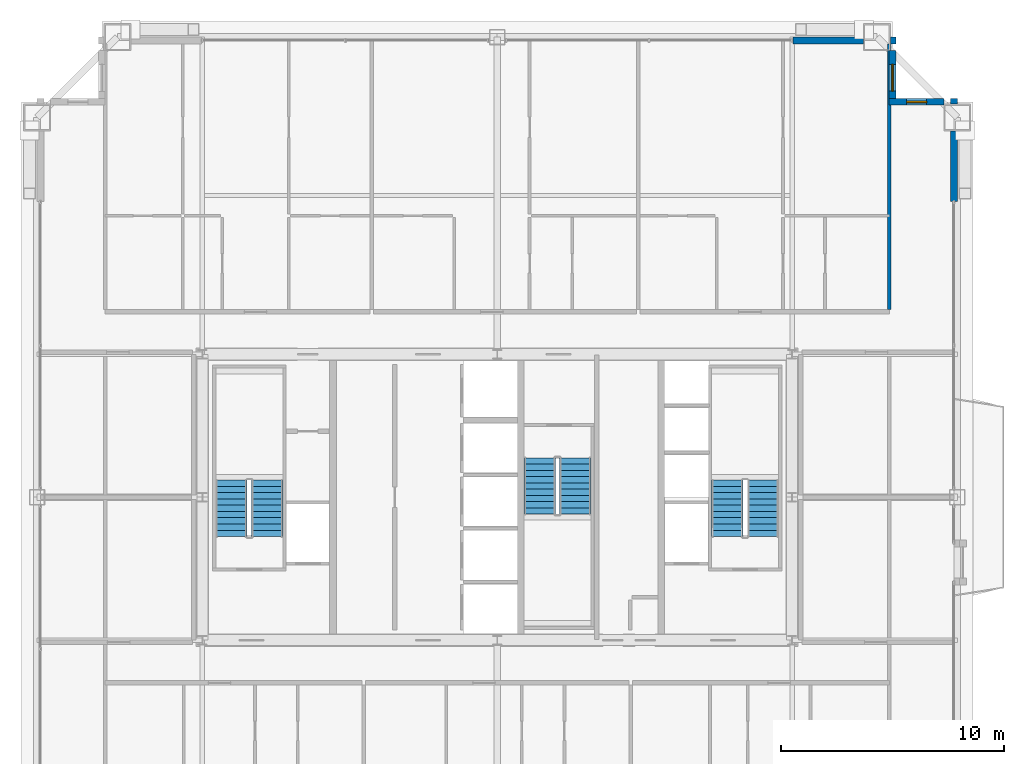
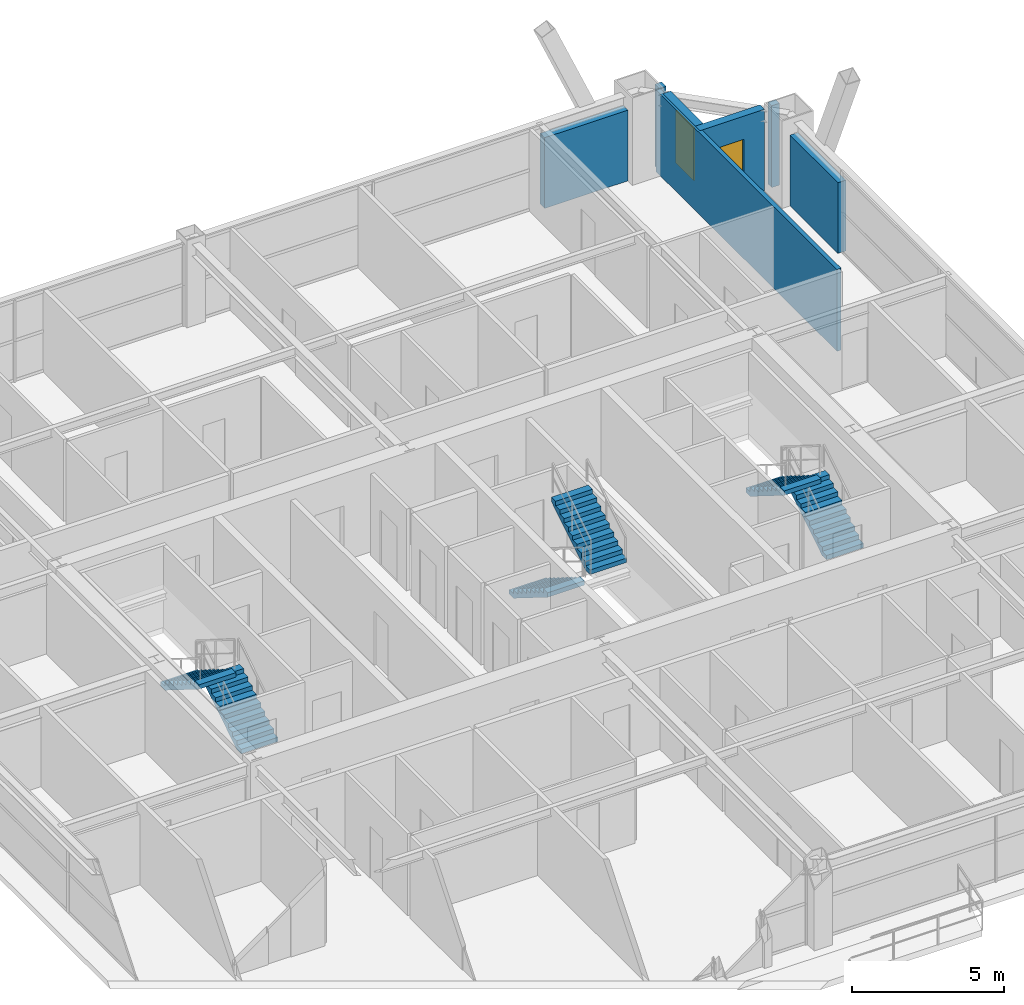
# One storey, part 34 of 35: 7 walls, 6 stair flights, 2 windows, 2 openings, 3 elements without a shape of their own.
"""IFC4 building model written with IfcOpenShell, lengths in metres."""

from ifc_helpers import new_model, si_unit, direction, frame, frame_2d, origin, place, context, subcontext, project, spatial, polyline, rectangle, outline, extrude, source, transform, mapped, material, layer, layer_set, type_object, element, fill, aggregate, save


model = new_model("IFC4")

# Units and contexts
model_context = context("Model", 3, precision=1e-05, world=origin(), true_north=direction((0.0, 1.0)))
body_context = subcontext(model_context, "Body", "Model", "MODEL_VIEW")
ifc_project = project(units=[si_unit("LENGTHUNIT", "METRE"), si_unit("AREAUNIT", "SQUARE_METRE"), si_unit("VOLUMEUNIT", "CUBIC_METRE"), si_unit("PLANEANGLEUNIT", "RADIAN"), si_unit("MASSUNIT", "GRAM", prefix="KILO"), si_unit("THERMODYNAMICTEMPERATUREUNIT", "KELVIN"), si_unit("POWERUNIT", "WATT")], contexts=[model_context])

# Site, building, storey
site_placement = place(None, origin())
site = spatial("IfcSite", under=ifc_project, at=site_placement, CompositionType="ELEMENT")
building_placement = place(site_placement, origin())
building = spatial("IfcBuilding", under=site, at=building_placement, Name="Yuzanri Waterfront Tower", CompositionType="ELEMENT")
storey_placement = place(building_placement, frame((0.0, 0.0, 248.60009765625)))
storey = spatial("IfcBuildingStorey", under=building, at=storey_placement, Name="L66", CompositionType="ELEMENT", Elevation=248.60009765625)

# Wall, opening, window
ifc_material_1 = material(Name="Honed Chongqing Dark Basalt Stone", Category="masonry")
ifc_layer_1 = layer(ifc_material_1, 0.300048828125)
ifc_layer_set_1 = layer_set([ifc_layer_1], Name="Honed Chongqing Dark Basalt Stone")
wall_type_1 = type_object("IfcWallType", Name="Bronze Rainscreen Insulated Spandrel Portal Wall 300", PredefinedType="SOLIDWALL", material=ifc_layer_set_1)
wall_1_placement = place(storey_placement, frame((57.0, 43.5, 0.0), z_axis=(0.0, 0.0, 1.0), x_axis=(-1.0, 0.0, 0.0)))
wall_1 = element("IfcWall", 1, at=wall_1_placement, inside=storey, type_object=wall_type_1, Name="L66 Notched Corner Masonry Wall NE-X", PredefinedType="SOLIDWALL", context=body_context, shape_type="SweptSolid", body=[
    extrude(rectangle(XDim=2.449951171875, YDim=0.300048828125, at=frame_2d((1.22509765625, 0.0))), origin(), (0.0, 0.0, 1.0), 3.27978515625),
])
opening_1_placement = place(wall_1_placement, frame((0.77490234375, 0.0, 0.85009765625)))
opening_1 = element("IfcOpeningElement", 2, at=opening_1_placement, cuts=wall_1, Name="Opening WN-05", PredefinedType="OPENING", context=body_context, shape_type="SweptSolid", body=[
    extrude(rectangle(XDim=0.89990234375, YDim=1.5, at=frame_2d((0.449951171875, 0.75))), frame((0.0, 0.1650390625, 0.0), z_axis=(0.0, -1.0, 0.0), x_axis=(1.0, 0.0, 0.0)), (0.0, 0.0, 1.0), 0.329833984375),
])
ifc_material_2 = material(Name="Double-Silver Low-E Insulated Glass", Category="glass")
window_type_1 = type_object("IfcWindowType", Name="Anodized Bronze Service and Stairwell Smoke-Vent Window 900x1500", PartitioningType="SINGLE_PANEL", PredefinedType="WINDOW", material=ifc_material_2)
shared_shape_1 = source(origin(), body_context, "Body", "SweptSolid", [
    extrude(rectangle(XDim=0.89990234375, YDim=1.5, at=frame_2d((0.449951171875, 0.75))), frame((0.0, 0.030029296875, 0.0), z_axis=(0.0, -1.0, 0.0), x_axis=(1.0, 0.0, 0.0)), (0.0, 0.0, 1.0), 0.06005859375),
])
window_1_placement = place(opening_1_placement, origin())
window_1 = element("IfcWindow", 3, at=window_1_placement, inside=storey, type_object=window_type_1, Name="L66 Notched Corner Window NE-X", OverallHeight=1.5, OverallWidth=0.89990234375, PartitioningType="SINGLE_PANEL", PredefinedType="WINDOW", context=body_context, shape_type="MappedRepresentation", body=[
    mapped(shared_shape_1, transform((0.0, 0.0, 0.0), scale=1.0)),
])
fill(opening_1, window_1)

wall_2_placement = place(storey_placement, frame((54.699951171875, 43.35009765625, 0.0), z_axis=(0.0, 0.0, 1.0), x_axis=(0.0, 1.0, 0.0)))
wall_2 = element("IfcWall", 4, at=wall_2_placement, inside=storey, type_object=wall_type_1, Name="L66 Notched Corner Masonry Wall NE-Y", PredefinedType="SOLIDWALL", context=body_context, shape_type="SweptSolid", body=[
    extrude(rectangle(XDim=2.449951171875, YDim=0.300048828125, at=frame_2d((1.22509765625, 0.0))), origin(), (0.0, 0.0, 1.0), 3.27978515625),
])
opening_2_placement = place(wall_2_placement, frame((0.625, 0.0, 0.85009765625)))
opening_2 = element("IfcOpeningElement", 5, at=opening_2_placement, cuts=wall_2, Name="Opening WN-02", PredefinedType="OPENING", context=body_context, shape_type="SweptSolid", body=[
    extrude(rectangle(XDim=1.199951171875, YDim=2.10009765625, at=frame_2d((0.60009765625, 1.050048828125))), frame((0.0, 0.1650390625, 0.0), z_axis=(0.0, -1.0, 0.0), x_axis=(1.0, 0.0, 0.0)), (0.0, 0.0, 1.0), 0.329833984375),
])
ifc_material_3 = material(Name="Double-Silver Low-E Insulated Glass", Category="glass")
window_type_2 = type_object("IfcWindowType", Name="Anodized Bronze Notched Corner Deep-Set Slot Window 1200x2100", PartitioningType="SINGLE_PANEL", PredefinedType="WINDOW", material=ifc_material_3)
shared_shape_2 = source(origin(), body_context, "Body", "SweptSolid", [
    extrude(rectangle(XDim=1.199951171875, YDim=2.10009765625, at=frame_2d((0.60009765625, 1.050048828125))), frame((0.0, 0.030029296875, 0.0), z_axis=(0.0, -1.0, 0.0), x_axis=(1.0, 0.0, 0.0)), (0.0, 0.0, 1.0), 0.06005859375),
])
window_2_placement = place(opening_2_placement, origin())
window_2 = element("IfcWindow", 6, at=window_2_placement, inside=storey, type_object=window_type_2, Name="L66 Notched Corner Window NE-Y", OverallHeight=2.10009765625, OverallWidth=1.199951171875, PartitioningType="SINGLE_PANEL", PredefinedType="WINDOW", context=body_context, shape_type="MappedRepresentation", body=[
    mapped(shared_shape_2, transform((0.0, 0.0, 0.0), scale=1.0)),
])
fill(opening_2, window_2)

# Walls
shared_shape_3 = source(origin(), body_context, "Body", "SweptSolid", [
    extrude(rectangle(XDim=0.25, YDim=0.300048828125, at=frame_2d((0.125, 0.0))), origin(), (0.0, 0.0, 1.0), 3.27978515625),
])
for number, where, z_axis, x_axis, name in (
    (7, (54.60009765625, 46.25, 0.0), (0.0, 0.0, 1.0), (1.0, 0.0, 0.0), "L66 Corner Column Shoulder Return CNE"),
    (8, (57.449951171875, 43.39990234375, 0.0), (0.0, 0.0, 1.0), (0.0, 1.0, 0.0), "L66 Corner Column Shoulder Return CEN"),
):
    element("IfcWall", number, at=place(storey_placement, frame(where, z_axis=z_axis, x_axis=x_axis)), inside=storey, type_object=wall_type_1, Name=name, PredefinedType="SOLIDWALL", context=body_context, shape_type="MappedRepresentation", body=[
        mapped(shared_shape_3, transform((0.0, 0.0, 0.0), scale=1.0)),
    ])
shared_shape_4 = source(origin(), body_context, "Body", "SweptSolid", [
    extrude(rectangle(XDim=3.14990234375, YDim=0.300048828125, at=frame_2d((1.574951171875, 0.0))), origin(), (0.0, 0.0, 1.0), 2.8349609375),
])
for number, where, z_axis, x_axis, name in (
    (9, (50.25, 46.25, 0.0), (0.0, 0.0, 1.0), (1.0, 0.0, 0.0), "L66 N Right Braced Masonry Shoulder"),
    (10, (57.449951171875, 39.050048828125, 0.0), (0.0, 0.0, 1.0), (0.0, 1.0, 0.0), "L66 E Right Braced Masonry Shoulder"),
):
    element("IfcWall", number, at=place(storey_placement, frame(where, z_axis=z_axis, x_axis=x_axis)), inside=storey, type_object=wall_type_1, Name=name, PredefinedType="SOLIDWALL", context=body_context, shape_type="MappedRepresentation", body=[
        mapped(shared_shape_4, transform((0.0, 0.0, 0.0), scale=1.0)),
    ])
ifc_material_4 = material(Name="Gypsum Fireboard Acoustic Stud Wall", Category="gypsum")
ifc_layer_2 = layer(ifc_material_4, 0.159912109375)
ifc_layer_set_2 = layer_set([ifc_layer_2], Name="Gypsum Fireboard Acoustic Stud Wall")
wall_type_2 = type_object("IfcWallType", Name="Acoustic Suite Demising Partition 160", PredefinedType="PARTITIONING", material=ifc_layer_set_2)
shared_shape_5 = source(origin(), body_context, "Body", "SweptSolid", [
    extrude(rectangle(XDim=11.89013671875, YDim=0.159912109375, at=frame_2d((5.945068359375, 0.0))), origin(), (0.0, 0.0, 1.0), 3.27978515625),
])
wall_3_placement = place(storey_placement, frame((54.550048828125, 34.2099609375, 0.0), z_axis=(0.0, 0.0, 1.0), x_axis=(0.0, 1.0, 0.0)))
element("IfcWall", 11, at=wall_3_placement, inside=storey, type_object=wall_type_2, Name="L66 North Band East End Wall", PredefinedType="PARTITIONING", context=body_context, shape_type="MappedRepresentation", body=[
    mapped(shared_shape_5, transform((0.0, 0.0, 0.0), scale=1.0)),
])

# Stair, stair flights
ifc_material_5 = material(Name="Concrete C40", Category="concrete")
stair_type = type_object("IfcStairType", Name="Concrete C40 Core Dogleg Exit Stair", PredefinedType="HALF_TURN_STAIR", material=ifc_material_5)
stair_1_placement = place(storey_placement, origin())
stair_1 = element("IfcStair", 12, at=stair_1_placement, inside=storey, type_object=stair_type, Name="L66 Smoke-Proof Core Stair ST-01", PredefinedType="HALF_TURN_STAIR")
ifc_material_6 = material(Name="Concrete C40", Category="concrete")
stair_flight_type = type_object("IfcStairFlightType", Name="Concrete C40 Precast Stair Flight 1380", PredefinedType="STRAIGHT", material=ifc_material_6)
shared_shape_6 = source(origin(), body_context, "Body", "SweptSolid", [
    extrude(outline(polyline([(0.0, 0.0), (0.0, 0.175048828125), (0.280029296875, 0.175048828125), (0.280029296875, 0.35009765625), (0.56005859375, 0.35009765625), (0.56005859375, 0.52490234375), (0.840087890625, 0.52490234375), (0.840087890625, 0.699951171875), (1.1201171875, 0.699951171875), (1.1201171875, 0.875), (1.39990234375, 0.875), (1.39990234375, 1.050048828125), (1.679931640625, 1.050048828125), (1.679931640625, 1.22509765625), (1.9599609375, 1.22509765625), (1.9599609375, 1.39990234375), (2.239990234375, 1.39990234375), (2.239990234375, 1.574951171875), (2.52001953125, 1.574951171875), (2.52001953125, 1.75), (2.52001953125, 1.398193359375), (0.28271484375, 0.0), (0.0, 0.0)])), frame((0.0, 0.699951171875, 0.0), z_axis=(0.0, -1.0, 0.0), x_axis=(1.0, 0.0, 0.0)), (0.0, 0.0, 1.0), 1.39990234375),
])
stair_flight_1_placement = place(storey_placement, frame((26.699951171875, 24.0400390625, 0.0), z_axis=(0.0, 0.0, 1.0), x_axis=(0.0, 1.0, 0.0)))
stair_flight_1 = element("IfcStairFlight", 13, at=stair_flight_1_placement, type_object=stair_flight_type, Name="ST-01 flight 1", NumberOfRisers=10, NumberOfTreads=9, PredefinedType="STRAIGHT", RiserHeight=0.175, TreadLength=0.28, context=body_context, shape_type="MappedRepresentation", body=[
    mapped(shared_shape_6, transform((0.0, 0.0, 0.0), scale=1.0)),
])
stair_flight_2_placement = place(storey_placement, frame((25.10009765625, 26.56005859375, 1.75), z_axis=(0.0, 0.0, 1.0), x_axis=(0.0, -1.0, 0.0)))
stair_flight_2 = element("IfcStairFlight", 14, at=stair_flight_2_placement, type_object=stair_flight_type, Name="ST-01 flight 2", NumberOfRisers=10, NumberOfTreads=9, PredefinedType="STRAIGHT", RiserHeight=0.175, TreadLength=0.28, context=body_context, shape_type="MappedRepresentation", body=[
    mapped(shared_shape_6, transform((0.0, 0.0, 0.0), scale=1.0)),
])
aggregate(stair_1, [stair_flight_1, stair_flight_2])

stair_2_placement = place(storey_placement, origin())
stair_2 = element("IfcStair", 15, at=stair_2_placement, inside=storey, type_object=stair_type, Name="L66 Smoke-Proof Core Stair ST-02", PredefinedType="HALF_TURN_STAIR")
stair_flight_3_placement = place(storey_placement, frame((48.89990234375, 24.0400390625, 0.0), z_axis=(0.0, 0.0, 1.0), x_axis=(0.0, 1.0, 0.0)))
stair_flight_3 = element("IfcStairFlight", 16, at=stair_flight_3_placement, type_object=stair_flight_type, Name="ST-02 flight 1", NumberOfRisers=10, NumberOfTreads=9, PredefinedType="STRAIGHT", RiserHeight=0.175, TreadLength=0.28, context=body_context, shape_type="MappedRepresentation", body=[
    mapped(shared_shape_6, transform((0.0, 0.0, 0.0), scale=1.0)),
])
stair_flight_4_placement = place(storey_placement, frame((47.300048828125, 26.56005859375, 1.75), z_axis=(0.0, 0.0, 1.0), x_axis=(0.0, -1.0, 0.0)))
stair_flight_4 = element("IfcStairFlight", 17, at=stair_flight_4_placement, type_object=stair_flight_type, Name="ST-02 flight 2", NumberOfRisers=10, NumberOfTreads=9, PredefinedType="STRAIGHT", RiserHeight=0.175, TreadLength=0.28, context=body_context, shape_type="MappedRepresentation", body=[
    mapped(shared_shape_6, transform((0.0, 0.0, 0.0), scale=1.0)),
])
aggregate(stair_2, [stair_flight_3, stair_flight_4])

stair_3_placement = place(storey_placement, origin())
stair_3 = element("IfcStair", 18, at=stair_3_placement, inside=storey, type_object=stair_type, Name="L66 Smoke-Proof Core Stair ST-03", PredefinedType="HALF_TURN_STAIR")
stair_flight_5_placement = place(storey_placement, frame((38.89990234375, 27.56005859375, 0.0), z_axis=(0.0, 0.0, 1.0), x_axis=(0.0, -1.0, 0.0)))
stair_flight_5 = element("IfcStairFlight", 19, at=stair_flight_5_placement, type_object=stair_flight_type, Name="ST-03 flight 1", NumberOfRisers=10, NumberOfTreads=9, PredefinedType="STRAIGHT", RiserHeight=0.175, TreadLength=0.28, context=body_context, shape_type="MappedRepresentation", body=[
    mapped(shared_shape_6, transform((0.0, 0.0, 0.0), scale=1.0)),
])
stair_flight_6_placement = place(storey_placement, frame((40.5, 25.0400390625, 1.75), z_axis=(0.0, 0.0, 1.0), x_axis=(0.0, 1.0, 0.0)))
stair_flight_6 = element("IfcStairFlight", 20, at=stair_flight_6_placement, type_object=stair_flight_type, Name="ST-03 flight 2", NumberOfRisers=10, NumberOfTreads=9, PredefinedType="STRAIGHT", RiserHeight=0.175, TreadLength=0.28, context=body_context, shape_type="MappedRepresentation", body=[
    mapped(shared_shape_6, transform((0.0, 0.0, 0.0), scale=1.0)),
])
aggregate(stair_3, [stair_flight_5, stair_flight_6])

save(model, "model.ifc")
